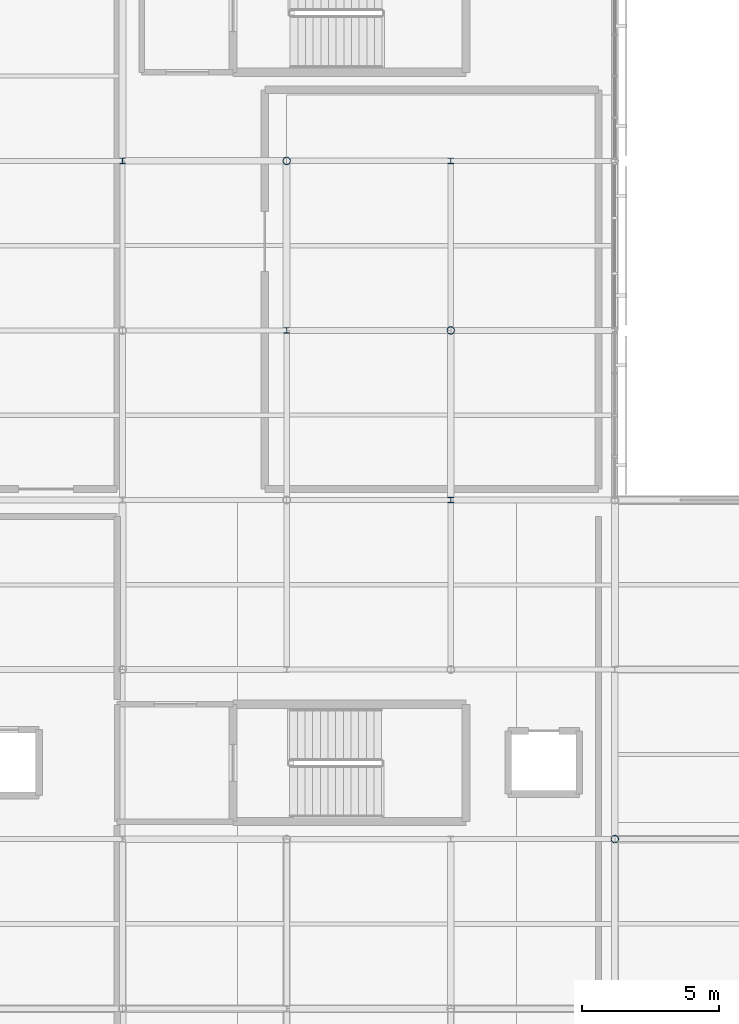
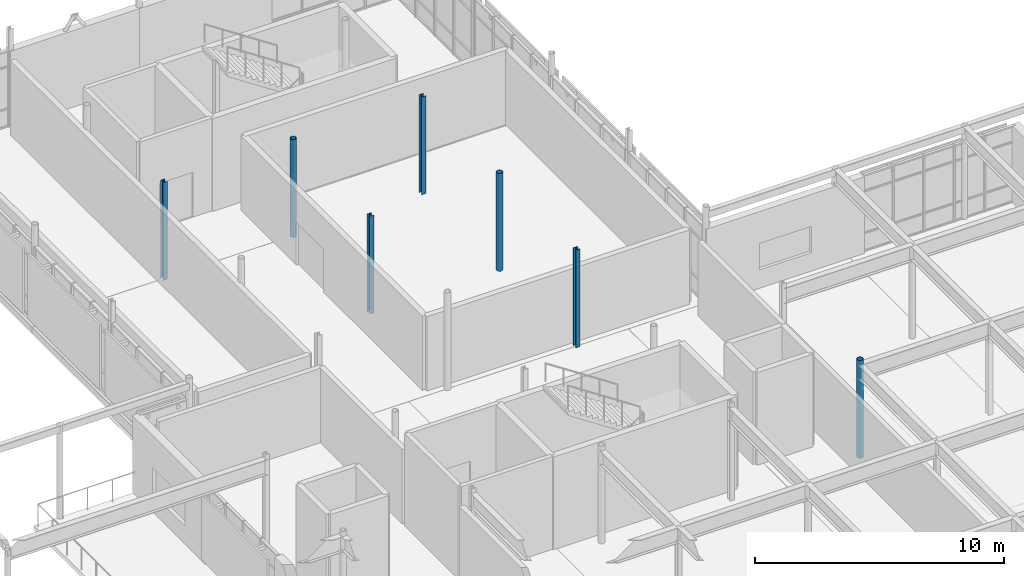
# One storey, part 10 of 48: 7 columns.
"""IFC4 building model written with IfcOpenShell, lengths in metres."""

from ifc_helpers import new_model, si_unit, direction, frame, origin, origin_2d, place, context, subcontext, project, spatial, hollow_circle, i_section, extrude, material, material_profile, profile_set, type_object, element, save


model = new_model("IFC4")

# Units and contexts
model_context = context("Model", 3, precision=1e-05, world=origin(), true_north=direction((0.0, 1.0)))
body_context = subcontext(model_context, "Body", "Model", "MODEL_VIEW")
ifc_project = project(units=[si_unit("LENGTHUNIT", "METRE"), si_unit("AREAUNIT", "SQUARE_METRE"), si_unit("VOLUMEUNIT", "CUBIC_METRE"), si_unit("PLANEANGLEUNIT", "RADIAN"), si_unit("MASSUNIT", "GRAM", prefix="KILO")], contexts=[model_context])

# Site, building, storey
site_placement = place(None, origin())
site = spatial("IfcSite", under=ifc_project, at=site_placement, CompositionType="ELEMENT")
building_placement = place(site_placement, origin())
building = spatial("IfcBuilding", under=site, at=building_placement, Name="Mirzam Square Science Centre", CompositionType="ELEMENT")
storey_placement = place(building_placement, frame((0.0, 0.0, 20.39990234375)))
storey = spatial("IfcBuildingStorey", under=building, at=storey_placement, Name="L04", CompositionType="ELEMENT", Elevation=20.39990234375)

# Columns
ifc_material = material(Name="Steel S355", Category="steel")
ifc_material_profile_1 = material_profile(ifc_material, hollow_circle(Radius=0.136474609375, WallThickness=0.010009765625, at=origin_2d()), Name="273.0x10.0CHS")
ifc_profile_set_1 = profile_set([ifc_material_profile_1], Name="Steel S355")
column_type_1 = type_object("IfcColumnType", Name="COL-CHS273", PredefinedType="COLUMN", material=ifc_profile_set_1)
for number, where, z_axis, x_axis, name in (
    (1, (126.0, 99.199951171875, 0.0), (0.0, 0.0, 1.0), (1.0, 0.0, 0.0), "L04 column G22-17"),
    (2, (132.0, 93.0, 0.0), (0.0, 0.0, 1.0), (1.0, 0.0, 0.0), "L04 column G23-16"),
    (3, (138.0, 74.39990234375, 0.0), (0.0, 0.0, 1.0), (1.0, 0.0, 0.0), "L04 column G24-13"),
):
    element("IfcColumn", number, at=place(storey_placement, frame(where, z_axis=z_axis, x_axis=x_axis)), inside=storey, type_object=column_type_1, Name=name, PredefinedType="COLUMN", context=body_context, shape_type="SweptSolid", body=[
        extrude(hollow_circle(Radius=0.136474609375, WallThickness=0.010009765625, at=origin_2d()), origin(), (0.0, 0.0, 1.0), 4.800048828125),
    ])
ifc_material_profile_2 = material_profile(ifc_material, i_section(OverallWidth=0.205810546875, OverallDepth=0.209716796875, WebThickness=0.009521484375, FlangeThickness=0.01416015625, FilletRadius=0.01025390625, at=origin_2d()), Name="203x203x60UC")
ifc_profile_set_2 = profile_set([ifc_material_profile_2], Name="Steel S355")
column_type_2 = type_object("IfcColumnType", Name="COL-UC203A", PredefinedType="COLUMN", material=ifc_profile_set_2)
for number, where, z_axis, x_axis, name in (
    (4, (120.0, 99.199951171875, 0.0), (0.0, 0.0, 1.0), (1.0, 0.0, 0.0), "L04 column G21-17"),
    (5, (126.0, 93.0, 0.0), (0.0, 0.0, 1.0), (1.0, 0.0, 0.0), "L04 column G22-16"),
    (6, (132.0, 86.800048828125, 0.0), (0.0, 0.0, 1.0), (1.0, 0.0, 0.0), "L04 column G23-15"),
    (7, (132.0, 99.199951171875, 0.0), (0.0, 0.0, 1.0), (1.0, 0.0, 0.0), "L04 column G23-17"),
):
    element("IfcColumn", number, at=place(storey_placement, frame(where, z_axis=z_axis, x_axis=x_axis)), inside=storey, type_object=column_type_2, Name=name, PredefinedType="COLUMN", context=body_context, shape_type="SweptSolid", body=[
        extrude(i_section(OverallWidth=0.205810546875, OverallDepth=0.209716796875, WebThickness=0.009521484375, FlangeThickness=0.01416015625, FilletRadius=0.01025390625, at=origin_2d()), origin(), (0.0, 0.0, 1.0), 4.800048828125),
    ])

save(model, "model.ifc")
